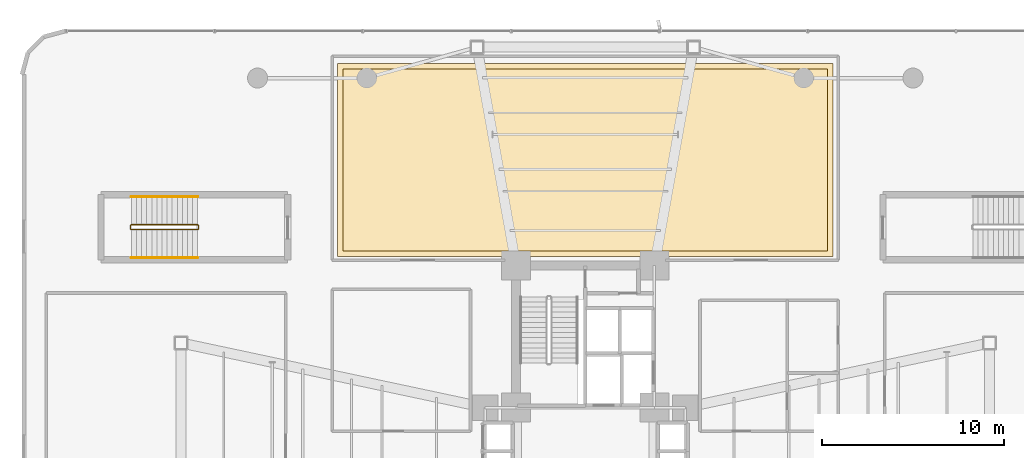
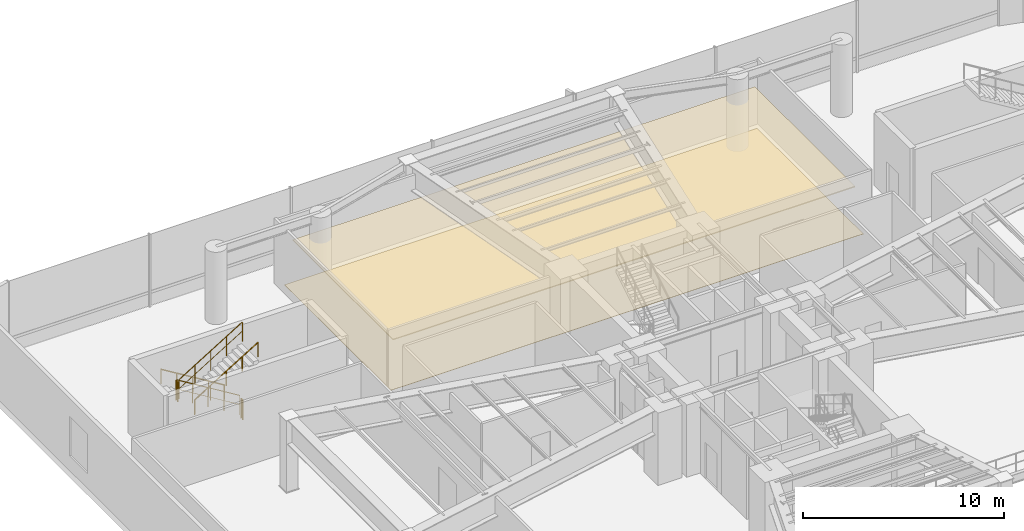
# One storey, part 21 of 22: 6 railings, 2 coverings.
"""IFC4 building model written with IfcOpenShell, lengths in metres."""

from ifc_helpers import new_model, si_unit, direction, frame, origin, origin_2d, place, context, subcontext, project, spatial, polyline, circle, outline, extrude, material, layer, layer_set, type_object, element, save


model = new_model("IFC4")

# Units and contexts
model_context = context("Model", 3, precision=1e-05, world=origin(), true_north=direction((0.0, 1.0)))
body_context = subcontext(model_context, "Body", "Model", "MODEL_VIEW")
ifc_project = project(units=[si_unit("LENGTHUNIT", "METRE"), si_unit("AREAUNIT", "SQUARE_METRE"), si_unit("VOLUMEUNIT", "CUBIC_METRE"), si_unit("PLANEANGLEUNIT", "RADIAN"), si_unit("MASSUNIT", "GRAM", prefix="KILO")], contexts=[model_context])

# Site, building, storey
site_placement = place(None, origin())
site = spatial("IfcSite", under=ifc_project, at=site_placement, CompositionType="ELEMENT")
building_placement = place(site_placement, origin())
building = spatial("IfcBuilding", under=site, at=building_placement, Name="Sahyath Konkavel Grand Hotel", CompositionType="ELEMENT")
storey_placement = place(building_placement, frame((0.0, 0.0, 9.300048828125)))
storey = spatial("IfcBuildingStorey", under=building, at=storey_placement, Name="L02", CompositionType="ELEMENT", Elevation=9.300048828125)

# Coverings
ifc_material_1 = material(Name="Perforated Acoustic Gypsum and Teak Baffle Ceiling")
ifc_layer_1 = layer(ifc_material_1, 0.044921875)
ifc_layer_set_1 = layer_set([ifc_layer_1], Name="Perforated Acoustic Gypsum and Teak Baffle Ceiling")
covering_type_1 = type_object("IfcCoveringType", Name="COV-ACOUSTIC-CLG", PredefinedType="CEILING", material=ifc_layer_set_1)
covering_1_placement = place(storey_placement, frame((0.0, 0.0, 2.780029296875)))
element("IfcCovering", 1, at=covering_1_placement, inside=storey, type_object=covering_type_1, Name="L02 Grand Ballroom Acoustic Ceiling", PredefinedType="CEILING", context=body_context, shape_type="SweptSolid", body=[
    extrude(outline(polyline([(-13.300048828125, 11.0), (13.300048828125, 11.0), (13.300048828125, 21.0), (-13.300048828125, 21.0), (-13.300048828125, 11.0)])), origin(), (0.0, 0.0, 1.0), 0.059814453125),
])
ifc_material_2 = material(Name="Honed Deccan Basalt and Warm Sandstone Flooring", Category="masonry")
ifc_layer_2 = layer(ifc_material_2, 0.02001953125)
ifc_layer_set_2 = layer_set([ifc_layer_2], Name="Honed Deccan Basalt and Warm Sandstone Flooring")
covering_type_2 = type_object("IfcCoveringType", Name="COV-STONE-FLR", PredefinedType="FLOORING", material=ifc_layer_set_2)
covering_2_placement = place(storey_placement, origin())
element("IfcCovering", 2, at=covering_2_placement, inside=storey, type_object=covering_type_2, Name="L02 Grand Ballroom Stone Flooring", PredefinedType="FLOORING", context=body_context, shape_type="SweptSolid", body=[
    extrude(outline(polyline([(-13.60009765625, 10.699951171875), (13.60009765625, 10.699951171875), (13.60009765625, 21.300048828125), (-13.60009765625, 21.300048828125), (-13.60009765625, 10.699951171875)])), origin(), (0.0, 0.0, 1.0), 0.02001953125),
])

# Railings
ifc_material_3 = material(Name="Steel E350", Category="steel")
railing_type_1 = type_object("IfcRailingType", Name="RLG-STAIR-GRD", PredefinedType="GUARDRAIL", material=ifc_material_3)
railing_1_placement = place(storey_placement, frame((-21.2900390625, 12.43994140625, 0.17138671875)))
element("IfcRailing", 3, at=railing_1_placement, inside=storey, type_object=railing_type_1, Name="L02 ST-P1 stair guard 1", PredefinedType="GUARDRAIL", context=body_context, shape_type="SweptSolid", body=[
    extrude(circle(Radius=0.02392578125, at=origin_2d()), frame((-0.001708984375, 0.0, 1.177001953125), z_axis=(-0.852850264322, 0.0, 0.5221555579), x_axis=(0.0, -1.0, 0.0)), (0.0, 0.0, 1.0), 4.263916015625),
    extrude(circle(Radius=0.01416015625, at=origin_2d()), frame((-0.001708984375, 0.0, 0.625), z_axis=(-0.852850264322, 0.0, 0.5221555579), x_axis=(0.0, -1.0, 0.0)), (0.0, 0.0, 1.0), 4.263916015625),
    extrude(circle(Radius=0.02099609375, at=origin_2d()), origin(), (0.0, 0.0, 1.0), 1.15185546875),
    extrude(circle(Radius=0.02099609375, at=origin_2d()), frame((-0.909912109375, 0.0, 0.55712890625)), (0.0, 0.0, 1.0), 1.15185546875),
    extrude(circle(Radius=0.02099609375, at=origin_2d()), frame((-1.81982421875, 0.0, 1.1142578125)), (0.0, 0.0, 1.0), 1.15185546875),
    extrude(circle(Radius=0.02099609375, at=origin_2d()), frame((-2.72998046875, 0.0, 1.67138671875)), (0.0, 0.0, 1.0), 1.15185546875),
    extrude(circle(Radius=0.02099609375, at=origin_2d()), frame((-3.639892578125, 0.0, 2.228515625)), (0.0, 0.0, 1.0), 1.15185546875),
])
railing_2_placement = place(storey_placement, frame((-24.97998046875, 12.389892578125, 2.39990234375)))
element("IfcRailing", 4, at=railing_2_placement, inside=storey, type_object=railing_type_1, Name="L02 ST-P1 stair guard 2", PredefinedType="GUARDRAIL", context=body_context, shape_type="SweptSolid", body=[
    extrude(circle(Radius=0.02392578125, at=origin_2d()), frame((0.0, -0.001953125, 1.17578125), z_axis=(0.0, -1.0, 0.0), x_axis=(1.0, 0.0, 0.0)), (0.0, 0.0, 1.0), 0.156005859375),
    extrude(circle(Radius=0.01416015625, at=origin_2d()), frame((0.0, -0.001953125, 0.6240234375), z_axis=(0.0, -1.0, 0.0), x_axis=(1.0, 0.0, 0.0)), (0.0, 0.0, 1.0), 0.156005859375),
    extrude(circle(Radius=0.02099609375, at=origin_2d()), origin(), (0.0, 0.0, 1.0), 1.15185546875),
    extrude(circle(Radius=0.02099609375, at=origin_2d()), frame((0.0, -0.159912109375, 0.0)), (0.0, 0.0, 1.0), 1.15185546875),
])
railing_3_placement = place(storey_placement, frame((-24.929931640625, 12.179931640625, 2.5712890625)))
element("IfcRailing", 5, at=railing_3_placement, inside=storey, type_object=railing_type_1, Name="L02 ST-P1 stair guard 3", PredefinedType="GUARDRAIL", context=body_context, shape_type="SweptSolid", body=[
    extrude(circle(Radius=0.02392578125, at=origin_2d()), frame((0.001708984375, 0.0, 1.177001953125), z_axis=(0.852824790078, 0.0, 0.522197163366), x_axis=(0.0, 1.0, 0.0)), (0.0, 0.0, 1.0), 4.26416015625),
    extrude(circle(Radius=0.01416015625, at=origin_2d()), frame((0.001708984375, 0.0, 0.625), z_axis=(0.852824790078, 0.0, 0.522197163366), x_axis=(0.0, 1.0, 0.0)), (0.0, 0.0, 1.0), 4.26416015625),
    extrude(circle(Radius=0.02099609375, at=origin_2d()), origin(), (0.0, 0.0, 1.0), 1.15185546875),
    extrude(circle(Radius=0.02099609375, at=origin_2d()), frame((0.909912109375, 0.0, 0.55712890625)), (0.0, 0.0, 1.0), 1.15185546875),
    extrude(circle(Radius=0.02099609375, at=origin_2d()), frame((1.81982421875, 0.0, 1.1142578125)), (0.0, 0.0, 1.0), 1.15185546875),
    extrude(circle(Radius=0.02099609375, at=origin_2d()), frame((2.72998046875, 0.0, 1.671630859375)), (0.0, 0.0, 1.0), 1.15185546875),
    extrude(circle(Radius=0.02099609375, at=origin_2d()), frame((3.639892578125, 0.0, 2.228759765625)), (0.0, 0.0, 1.0), 1.15185546875),
])
railing_4_placement = place(storey_placement, frame((-21.239990234375, 12.389892578125, 0.0)))
element("IfcRailing", 6, at=railing_4_placement, inside=storey, type_object=railing_type_1, Name="L02 ST-P1 stair guard 4", PredefinedType="GUARDRAIL", context=body_context, shape_type="SweptSolid", body=[
    extrude(circle(Radius=0.02392578125, at=origin_2d()), frame((0.0, -0.001953125, 1.17578125), z_axis=(0.0, -1.0, 0.0), x_axis=(1.0, 0.0, 0.0)), (0.0, 0.0, 1.0), 0.156005859375),
    extrude(circle(Radius=0.01416015625, at=origin_2d()), frame((0.0, -0.001953125, 0.6240234375), z_axis=(0.0, -1.0, 0.0), x_axis=(1.0, 0.0, 0.0)), (0.0, 0.0, 1.0), 0.156005859375),
    extrude(circle(Radius=0.02099609375, at=origin_2d()), origin(), (0.0, 0.0, 1.0), 1.15185546875),
    extrude(circle(Radius=0.02099609375, at=origin_2d()), frame((0.0, -0.159912109375, 0.0)), (0.0, 0.0, 1.0), 1.15185546875),
])
ifc_material_4 = material(Name="Anodised Bronze Aluminium", Category="aluminium")
railing_type_2 = type_object("IfcRailingType", Name="RLG-STAIR-HND", PredefinedType="HANDRAIL", material=ifc_material_4)
railing_5_placement = place(storey_placement, frame((-21.2900390625, 13.989990234375, 0.17138671875)))
element("IfcRailing", 7, at=railing_5_placement, inside=storey, type_object=railing_type_2, Name="L02 ST-P1 stair handrail 1", PredefinedType="HANDRAIL", context=body_context, shape_type="SweptSolid", body=[
    extrude(circle(Radius=0.02392578125, at=origin_2d()), frame((-0.001708984375, 0.0, 0.876953125), z_axis=(-0.852850264322, 0.0, 0.5221555579), x_axis=(0.0, -1.0, 0.0)), (0.0, 0.0, 1.0), 4.263916015625),
    extrude(circle(Radius=0.02099609375, at=origin_2d()), origin(), (0.0, 0.0, 1.0), 0.851806640625),
    extrude(circle(Radius=0.02099609375, at=origin_2d()), frame((-0.909912109375, 0.0, 0.55712890625)), (0.0, 0.0, 1.0), 0.851806640625),
    extrude(circle(Radius=0.02099609375, at=origin_2d()), frame((-1.81982421875, 0.0, 1.1142578125)), (0.0, 0.0, 1.0), 0.851806640625),
    extrude(circle(Radius=0.02099609375, at=origin_2d()), frame((-2.72998046875, 0.0, 1.67138671875)), (0.0, 0.0, 1.0), 0.851806640625),
    extrude(circle(Radius=0.02099609375, at=origin_2d()), frame((-3.639892578125, 0.0, 2.228515625)), (0.0, 0.0, 1.0), 0.851806640625),
])
railing_6_placement = place(storey_placement, frame((-24.929931640625, 10.6298828125, 2.5712890625)))
element("IfcRailing", 8, at=railing_6_placement, inside=storey, type_object=railing_type_2, Name="L02 ST-P1 stair handrail 2", PredefinedType="HANDRAIL", context=body_context, shape_type="SweptSolid", body=[
    extrude(circle(Radius=0.02392578125, at=origin_2d()), frame((0.001708984375, 0.0, 0.876953125), z_axis=(0.852824790078, 0.0, 0.522197163366), x_axis=(0.0, 1.0, 0.0)), (0.0, 0.0, 1.0), 4.26416015625),
    extrude(circle(Radius=0.02099609375, at=origin_2d()), origin(), (0.0, 0.0, 1.0), 0.851806640625),
    extrude(circle(Radius=0.02099609375, at=origin_2d()), frame((0.909912109375, 0.0, 0.55712890625)), (0.0, 0.0, 1.0), 0.851806640625),
    extrude(circle(Radius=0.02099609375, at=origin_2d()), frame((1.81982421875, 0.0, 1.1142578125)), (0.0, 0.0, 1.0), 0.851806640625),
    extrude(circle(Radius=0.02099609375, at=origin_2d()), frame((2.72998046875, 0.0, 1.671630859375)), (0.0, 0.0, 1.0), 0.851806640625),
    extrude(circle(Radius=0.02099609375, at=origin_2d()), frame((3.639892578125, 0.0, 2.228759765625)), (0.0, 0.0, 1.0), 0.851806640625),
])

save(model, "model.ifc")
